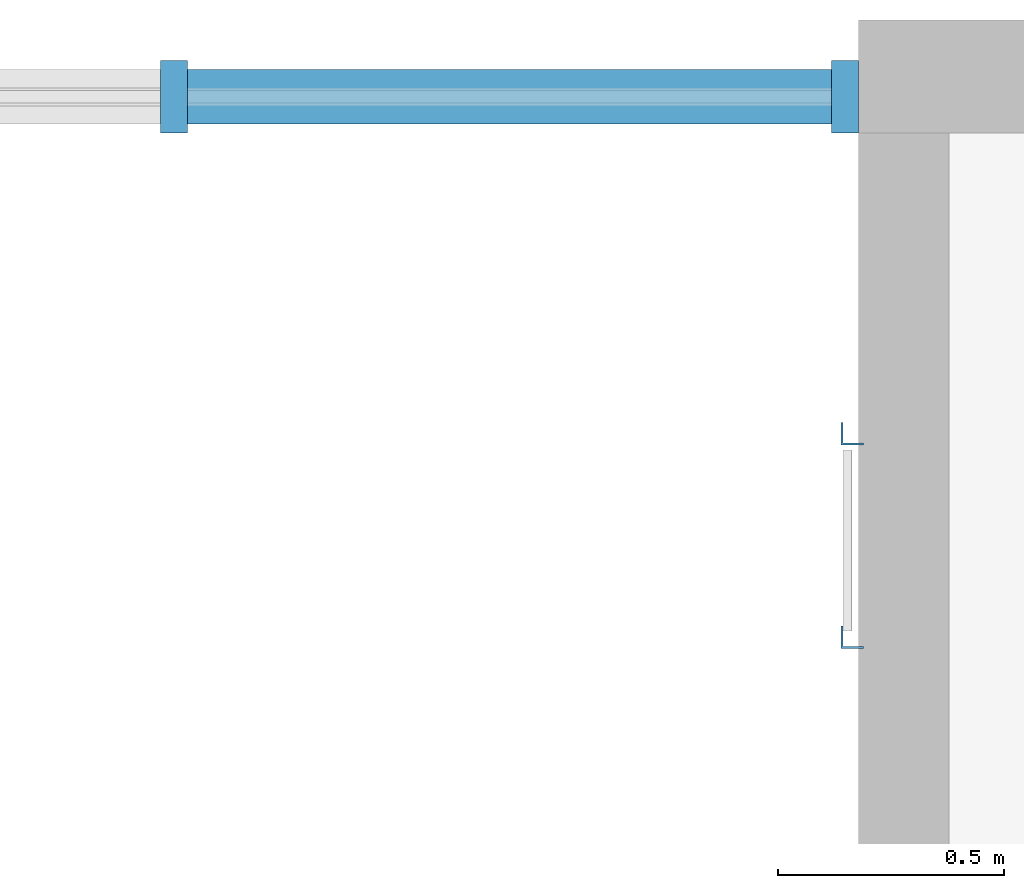
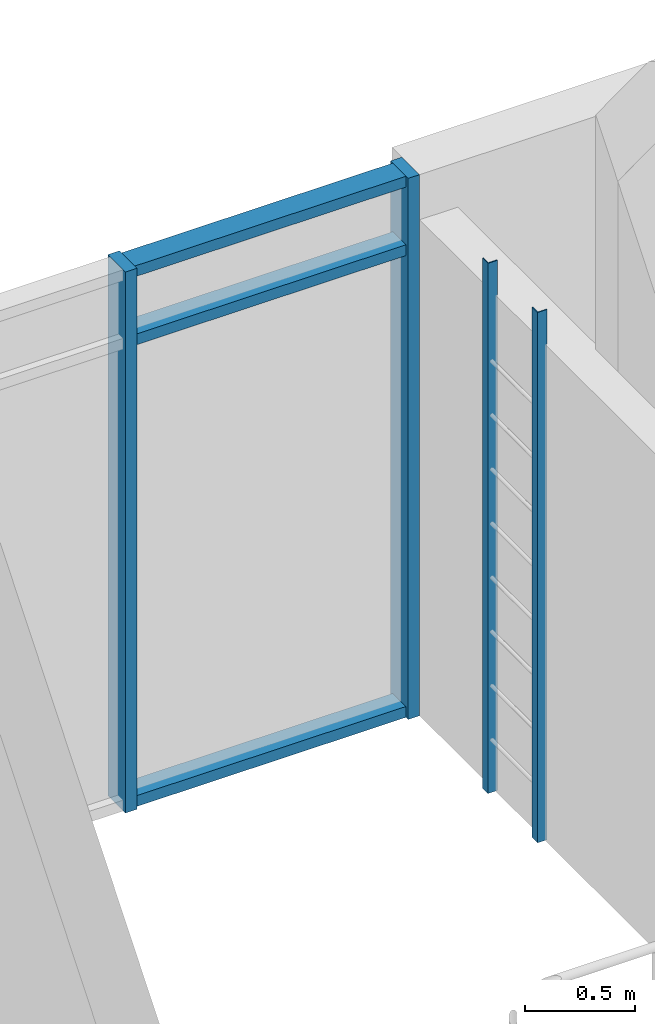
# One storey, part 4 of 15: 7 members, 1 element without a shape of its own.
"""IFC4 building model written with IfcOpenShell, lengths in metres."""

from ifc_helpers import new_model, si_unit, direction, frame, origin, origin_2d, place, context, subcontext, project, spatial, polyline, rectangle, outline, extrude, material, material_profile, profile_set, type_object, element, aggregate, save


model = new_model("IFC4")

# Units and contexts
model_context = context("Model", 3, precision=1e-05, world=origin(), true_north=direction((0.0, 1.0)))
body_context = subcontext(model_context, "Body", "Model", "MODEL_VIEW")
ifc_project = project(units=[si_unit("LENGTHUNIT", "METRE"), si_unit("AREAUNIT", "SQUARE_METRE"), si_unit("VOLUMEUNIT", "CUBIC_METRE"), si_unit("PLANEANGLEUNIT", "RADIAN"), si_unit("MASSUNIT", "GRAM", prefix="KILO")], contexts=[model_context])

# Site, building, storey
site_placement = place(None, origin())
site = spatial("IfcSite", under=ifc_project, at=site_placement, CompositionType="ELEMENT")
building_placement = place(site_placement, origin())
building = spatial("IfcBuilding", under=site, at=building_placement, Name="Ridgestep Commons", CompositionType="ELEMENT")
storey_placement = place(building_placement, frame((0.0, 0.0, 45.0)))
storey = spatial("IfcBuildingStorey", under=building, at=storey_placement, Name="L15", CompositionType="ELEMENT", Elevation=45.0)

# Members
ifc_material_1 = material(Name="Structural steel S355JR", Category="steel")
ifc_material_profile_1 = material_profile(ifc_material_1, outline(polyline([(-0.014404296875, -0.014404296875), (0.03564453125, -0.014404296875), (0.03564453125, -0.00927734375), (-0.00927734375, -0.00927734375), (-0.00927734375, 0.03564453125), (-0.014404296875, 0.03564453125), (-0.014404296875, -0.014404296875)])), Name="EA 50x50x5")
ifc_profile_set_1 = profile_set([ifc_material_profile_1], Name="Structural steel S355JR")
member_type_1 = type_object("IfcMemberType", Name="Core ladder stile EA 50x50x5", PredefinedType="STRINGER", material=ifc_profile_set_1)
for number, where, z_axis, x_axis, name in (
    (1, (93.0, 21.625, 0.0), (0.0, 0.0, 1.0), (1.0, 0.0, 0.0), "Ladder stile A5C.1"),
    (2, (93.0, 22.074951171875, 0.0), (0.0, 0.0, 1.0), (1.0, 0.0, 0.0), "Ladder stile A5C.2"),
):
    element("IfcMember", number, at=place(storey_placement, frame(where, z_axis=z_axis, x_axis=x_axis)), inside=storey, type_object=member_type_1, Name=name, PredefinedType="STRINGER", context=body_context, shape_type="SweptSolid", body=[
        extrude(outline(polyline([(-0.014404296875, -0.014404296875), (0.03564453125, -0.014404296875), (0.03564453125, -0.00927734375), (-0.00927734375, -0.00927734375), (-0.00927734375, 0.03564453125), (-0.014404296875, 0.03564453125), (-0.014404296875, -0.014404296875)])), origin(), (0.0, 0.0, 1.0), 2.93994140625),
    ])

# Curtain wall, members
ifc_material_2 = material(Name="Aluminium 6063-T6 and glass", Category="aluminium")
curtain_wall_type = type_object("IfcCurtainWallType", Name="Curtain wall stair strip", PredefinedType="NOTDEFINED", material=ifc_material_2)
curtain_wall_placement = place(storey_placement, origin())
curtain_wall = element("IfcCurtainWall", 3, at=curtain_wall_placement, inside=storey, type_object=curtain_wall_type, Name="Curtain wall A5C level 15", PredefinedType="NOTDEFINED")
ifc_material_3 = material(Name="Aluminium 6063-T6", Category="aluminium")
ifc_material_profile_2 = material_profile(ifc_material_3, rectangle(XDim=0.159912109375, YDim=0.06005859375, at=origin_2d()), Name="Mullion 60 x 160")
ifc_profile_set_2 = profile_set([ifc_material_profile_2], Name="Aluminium 6063-T6")
member_type_2 = type_object("IfcMemberType", Name="Mullion 60 x 160", PredefinedType="MULLION", material=ifc_profile_set_2)
member_1_placement = place(storey_placement, frame((91.512451171875, 22.830078125, 0.0), z_axis=(0.0, 0.0, 1.0), x_axis=(0.0, 1.0, 0.0)))
member_1 = element("IfcMember", 4, at=member_1_placement, type_object=member_type_2, Name="CW1 mullion 2", PredefinedType="MULLION", context=body_context, shape_type="SweptSolid", body=[
    extrude(rectangle(XDim=0.159912109375, YDim=0.06005859375, at=origin_2d()), origin(), (0.0, 0.0, 1.0), 3.0),
])
member_2_placement = place(storey_placement, frame((92.9951171875, 22.830078125, 0.0), z_axis=(0.0, 0.0, 1.0), x_axis=(0.0, 1.0, 0.0)))
member_2 = element("IfcMember", 5, at=member_2_placement, type_object=member_type_2, Name="CW1 mullion 3", PredefinedType="MULLION", context=body_context, shape_type="SweptSolid", body=[
    extrude(rectangle(XDim=0.159912109375, YDim=0.06005859375, at=origin_2d()), origin(), (0.0, 0.0, 1.0), 3.0),
])
ifc_material_4 = material(Name="Aluminium 6063-T6", Category="aluminium")
ifc_material_profile_3 = material_profile(ifc_material_4, rectangle(XDim=0.1201171875, YDim=0.06005859375, at=origin_2d()), Name="Transom 60 x 120")
ifc_profile_set_3 = profile_set([ifc_material_profile_3], Name="Aluminium 6063-T6")
member_type_3 = type_object("IfcMemberType", Name="Transom 60 x 120", PredefinedType="USERDEFINED", material=ifc_profile_set_3)
member_3_placement = place(storey_placement, frame((91.54248046875, 22.830078125, 0.030029296875), z_axis=(1.0, 0.0, 0.0), x_axis=(0.0, 1.0, 0.0)))
member_3 = element("IfcMember", 6, at=member_3_placement, type_object=member_type_3, Name="CW1 transom 2.1", ObjectType="TRANSOM", PredefinedType="USERDEFINED", context=body_context, shape_type="SweptSolid", body=[
    extrude(rectangle(XDim=0.1201171875, YDim=0.06005859375, at=origin_2d()), origin(), (0.0, 0.0, 1.0), 1.422607421875),
])
member_4_placement = place(storey_placement, frame((91.54248046875, 22.830078125, 2.590087890625), z_axis=(1.0, 0.0, 0.0), x_axis=(0.0, 1.0, 0.0)))
member_4 = element("IfcMember", 7, at=member_4_placement, type_object=member_type_3, Name="CW1 transom 2.2", ObjectType="TRANSOM", PredefinedType="USERDEFINED", context=body_context, shape_type="SweptSolid", body=[
    extrude(rectangle(XDim=0.1201171875, YDim=0.06005859375, at=origin_2d()), origin(), (0.0, 0.0, 1.0), 1.422607421875),
])
member_5_placement = place(storey_placement, frame((91.54248046875, 22.830078125, 2.969970703125), z_axis=(1.0, 0.0, 0.0), x_axis=(0.0, 1.0, 0.0)))
member_5 = element("IfcMember", 8, at=member_5_placement, type_object=member_type_3, Name="CW1 transom 2.3", ObjectType="TRANSOM", PredefinedType="USERDEFINED", context=body_context, shape_type="SweptSolid", body=[
    extrude(rectangle(XDim=0.1201171875, YDim=0.06005859375, at=origin_2d()), origin(), (0.0, 0.0, 1.0), 1.422607421875),
])
aggregate(curtain_wall, [member_1, member_2, member_3, member_4, member_5])

save(model, "model.ifc")
